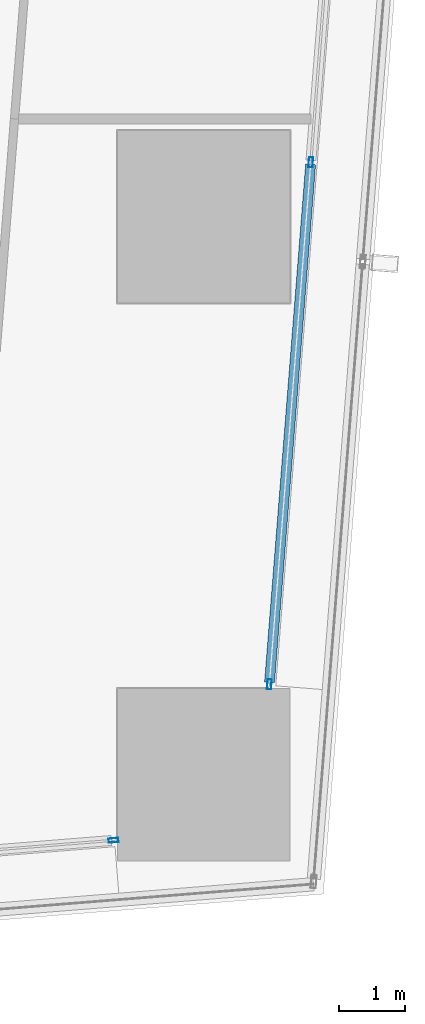
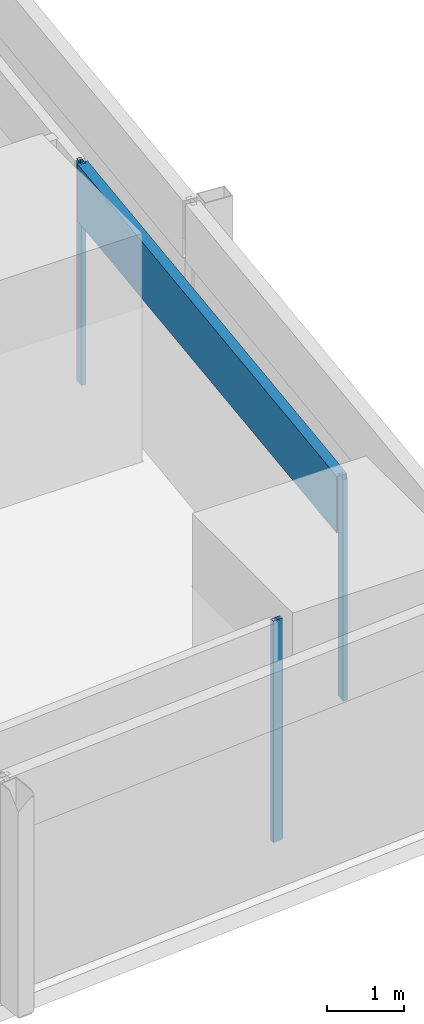
# One storey, part 12 of 46: 4 members, 2 elements without a shape of their own.
"""IFC4 building model written with IfcOpenShell, lengths in metres."""

from ifc_helpers import new_model, si_unit, direction, frame, origin, origin_2d, place, context, subcontext, project, spatial, hollow_rectangle, extrude, material, material_profile, profile_set, type_object, element, aggregate, save


model = new_model("IFC4")

# Units and contexts
model_context = context("Model", 3, precision=1e-05, world=origin(), true_north=direction((0.0, 1.0)))
body_context = subcontext(model_context, "Body", "Model", "MODEL_VIEW")
ifc_project = project(units=[si_unit("LENGTHUNIT", "METRE"), si_unit("AREAUNIT", "SQUARE_METRE"), si_unit("VOLUMEUNIT", "CUBIC_METRE"), si_unit("PLANEANGLEUNIT", "RADIAN"), si_unit("MASSUNIT", "GRAM", prefix="KILO")], contexts=[model_context])

# Site, building, storey
site_placement = place(None, origin())
site = spatial("IfcSite", under=ifc_project, at=site_placement, CompositionType="ELEMENT")
building_placement = place(site_placement, origin())
building = spatial("IfcBuilding", under=site, at=building_placement, Name="Rekha Terrace Tower", CompositionType="ELEMENT")
storey_placement = place(building_placement, frame((0.0, 0.0, 29.14990234375)))
storey = spatial("IfcBuildingStorey", under=building, at=storey_placement, Name="L06", CompositionType="ELEMENT", Elevation=29.14990234375)

# Curtain wall, member
ifc_material_1 = material(Name="Aluminium framing", Category="aluminium")
curtain_wall_type = type_object("IfcCurtainWallType", Name="CW1 double skin inner glazing", PredefinedType="USERDEFINED", material=ifc_material_1)
curtain_wall_1_placement = place(storey_placement, origin())
curtain_wall_1 = element("IfcCurtainWall", 1, at=curtain_wall_1_placement, inside=storey, type_object=curtain_wall_type, Name="CW1 double skin inner glazing", ObjectType="DOUBLE SKIN INNER GLAZING", PredefinedType="USERDEFINED")
ifc_material_2 = material(Name="Aluminium mullion section", Category="aluminium")
ifc_material_profile_1 = material_profile(ifc_material_2, hollow_rectangle(XDim=0.06494140625, YDim=0.14990234375, WallThickness=0.00390625, at=origin_2d()), Name="AL RHS 65x150")
ifc_profile_set_1 = profile_set([ifc_material_profile_1], Name="Aluminium mullion section")
member_type_1 = type_object("IfcMemberType", Name="CW1 mullion RHS 65 x 150", PredefinedType="MULLION", material=ifc_profile_set_1)
member_1_placement = place(storey_placement, frame((65.840087890625, 7.41015625, 0.0), z_axis=(0.0, 0.0, 1.0), x_axis=(-0.079872204468, 0.996805111821, 0.0)))
member_1 = element("IfcMember", 2, at=member_1_placement, type_object=member_type_1, Name="CW1 mullion 3", PredefinedType="MULLION", context=body_context, shape_type="SweptSolid", body=[
    extrude(hollow_rectangle(XDim=0.06494140625, YDim=0.14990234375, WallThickness=0.00390625, at=origin_2d()), origin(), (0.0, 0.0, 1.0), 3.5),
])
aggregate(curtain_wall_1, [member_1])

# Curtain wall, members
curtain_wall_2_placement = place(storey_placement, origin())
curtain_wall_2 = element("IfcCurtainWall", 3, at=curtain_wall_2_placement, inside=storey, type_object=curtain_wall_type, Name="CW1 double skin inner glazing", ObjectType="DOUBLE SKIN INNER GLAZING", PredefinedType="USERDEFINED")
member_2_placement = place(storey_placement, frame((68.1875, 9.759765625, 0.0), z_axis=(0.0, 0.0, 1.0), x_axis=(-0.996865392578, 0.079116300982, 0.0)))
member_2 = element("IfcMember", 4, at=member_2_placement, type_object=member_type_1, Name="CW1 mullion 1", PredefinedType="MULLION", context=body_context, shape_type="SweptSolid", body=[
    extrude(hollow_rectangle(XDim=0.06494140625, YDim=0.14990234375, WallThickness=0.00390625, at=origin_2d()), origin(), (0.0, 0.0, 1.0), 3.5),
])
member_3_placement = place(storey_placement, frame((68.8115234375, 17.62353515625, 0.0), z_axis=(0.0, 0.0, 1.0), x_axis=(-0.996865392578, 0.079116300982, 0.0)))
member_3 = element("IfcMember", 5, at=member_3_placement, type_object=member_type_1, Name="CW1 mullion 2", PredefinedType="MULLION", context=body_context, shape_type="SweptSolid", body=[
    extrude(hollow_rectangle(XDim=0.06494140625, YDim=0.14990234375, WallThickness=0.00390625, at=origin_2d()), origin(), (0.0, 0.0, 1.0), 3.5),
])
ifc_material_3 = material(Name="Insulated aluminium spandrel box", Category="aluminium")
ifc_material_profile_2 = material_profile(ifc_material_3, hollow_rectangle(XDim=0.14990234375, YDim=0.89990234375, WallThickness=0.0029296875, at=origin_2d()), Name="AL SPANDREL BOX 150x900")
ifc_profile_set_2 = profile_set([ifc_material_profile_2], Name="Insulated aluminium spandrel box")
member_type_2 = type_object("IfcMemberType", Name="CW1 spandrel transom 150 x 900", PredefinedType="USERDEFINED", material=ifc_profile_set_2)
member_4_placement = place(storey_placement, frame((68.18994140625, 9.792236328125, 3.050048828125), z_axis=(0.079139928604, 0.996863517088, 0.0), x_axis=(-0.996863517088, 0.079139928604, 0.0)))
member_4 = element("IfcMember", 6, at=member_4_placement, type_object=member_type_2, Name="CW1 spandrel transom 1", ObjectType="TRANSOM", PredefinedType="USERDEFINED", context=body_context, shape_type="SweptSolid", body=[
    extrude(hollow_rectangle(XDim=0.14990234375, YDim=0.89990234375, WallThickness=0.0029296875, at=origin_2d()), origin(), (0.0, 0.0, 1.0), 7.823486328125),
])
aggregate(curtain_wall_2, [member_2, member_3, member_4])

save(model, "model.ifc")
